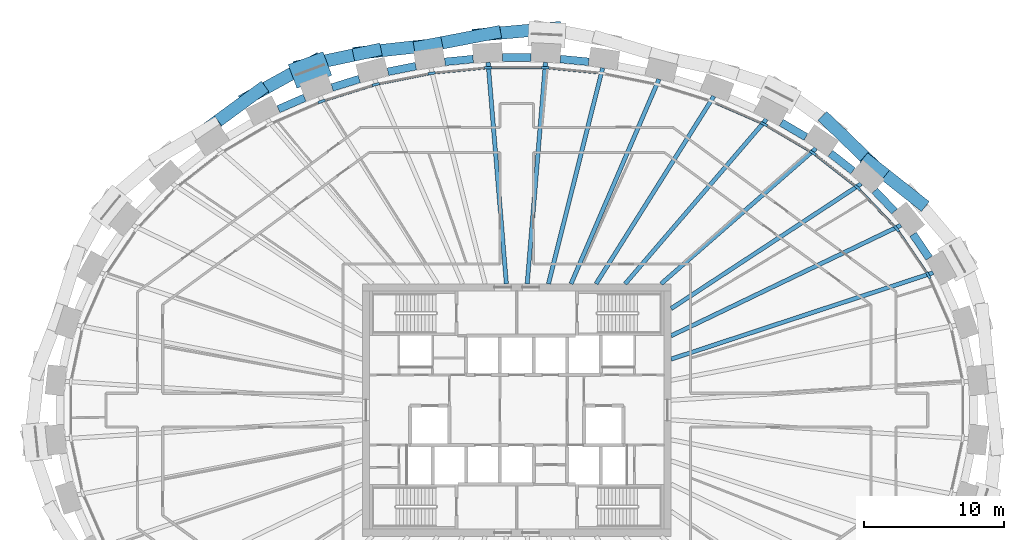
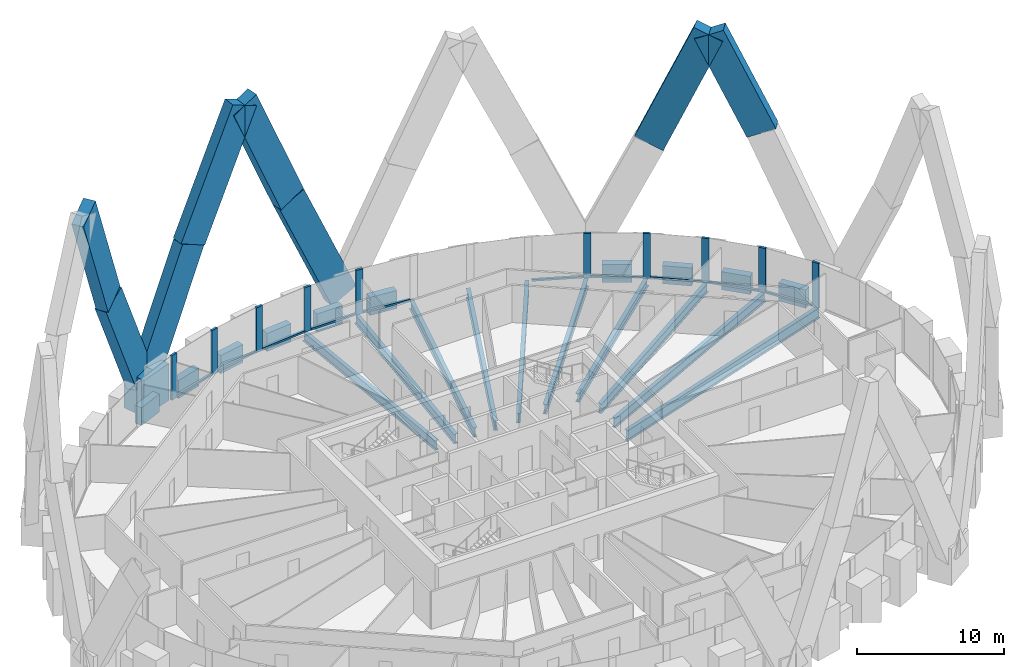
# One storey, part 4 of 14: 29 members, 20 beams, 1 element without a shape of its own.
"""IFC4 building model written with IfcOpenShell, lengths in metres."""

import ifcopenshell
import ifcopenshell.guid

model = None  # the IFC model being written
_history = None  # IfcOwnerHistory: only IFC2X3 demands one
_inside = {}  # id of a spatial element -> (the spatial element, [elements in it])
_under = {}  # id of a project, library or spatial element -> (it, [spatial elements below it])
_declared = {}  # id of a project -> (the project, [libraries it declares])
_typed = {}  # id of a type object -> (the type object, [elements of that type])
_made_of = {}  # id of a material, layer set ... -> (it, [elements and type objects made of it])


def new_model(schema):
    """Start an empty IFC model of exactly this schema.

    Asked for "IFC4X3", IfcOpenShell would pick the latest addendum, in which some entities
    have other attributes; the version numbers below select the first issue.
    IFC2X3 requires an IfcOwnerHistory on every rooted entity: one is made here for all.
    """
    global model, _history
    if schema == "IFC4X3":
        model = ifcopenshell.file(schema_version=(4, 3, 0, 0))
    else:
        model = ifcopenshell.file(schema=schema)
    _inside.clear()
    _under.clear()
    _declared.clear()
    _typed.clear()
    _made_of.clear()
    _history = None
    if model.schema == "IFC2X3":
        org = make("IfcOrganization", Name="unknown")
        user = make(
            "IfcPersonAndOrganization",
            ThePerson=make("IfcPerson", FamilyName="unknown"),
            TheOrganization=org,
        )
        app = make(
            "IfcApplication",
            ApplicationDeveloper=org,
            Version="unknown",
            ApplicationFullName="unknown",
            ApplicationIdentifier="unknown",
        )
        _history = make(
            "IfcOwnerHistory",
            OwningUser=user,
            OwningApplication=app,
            ChangeAction="ADDED",
            CreationDate=0,
        )
    return model


def make(cls, **values):
    """One entity of the class cls with the attributes given. An attribute that is None is left unset."""
    return model.create_entity(
        cls, **{name: value for name, value in values.items() if value is not None}
    )


def rooted(cls, **values):
    """An entity with a GlobalId (a new one), such as an element, a storey or a relation."""
    return make(cls, GlobalId=ifcopenshell.guid.new(), OwnerHistory=_history, **values)


def si_unit(unit_type, name, prefix=None):
    """IfcSIUnit, for example si_unit("LENGTHUNIT", "METRE", prefix="MILLI")."""
    return make("IfcSIUnit", UnitType=unit_type, Prefix=prefix, Name=name)


def assignment(units):
    """IfcUnitAssignment: the units of a project."""
    return None if units is None else make("IfcUnitAssignment", Units=units)


def point(xyz):
    """IfcCartesianPoint."""
    return None if xyz is None else make("IfcCartesianPoint", Coordinates=xyz)


def direction(xyz):
    """IfcDirection."""
    return None if xyz is None else make("IfcDirection", DirectionRatios=xyz)


def frame(location, z_axis=None, x_axis=None):
    """IfcAxis2Placement3D, a coordinate frame: its origin and axes. An axis left out is left unset."""
    return make(
        "IfcAxis2Placement3D",
        Location=point(location),
        Axis=direction(z_axis),
        RefDirection=direction(x_axis),
    )


def frame_2d(location, x_axis=None):
    """IfcAxis2Placement2D, a coordinate frame in the plane: its origin and x axis."""
    return make(
        "IfcAxis2Placement2D", Location=point(location), RefDirection=direction(x_axis)
    )


def origin():
    """The frame at (0, 0, 0) with its axes left unset."""
    return frame((0.0, 0.0, 0.0))


def origin_2d():
    """The frame at (0, 0) in the plane with its x axis left unset."""
    return frame_2d((0.0, 0.0))


def place(relative_to, where):
    """IfcLocalPlacement: puts the frame where relative to a parent placement (None: the world)."""
    return make(
        "IfcLocalPlacement", PlacementRelTo=relative_to, RelativePlacement=where
    )


def context(
    kind, dimensions, precision=None, world=None, true_north=None, identifier=None
):
    """IfcGeometricRepresentationContext, for example the 3D "Model" context."""
    return make(
        "IfcGeometricRepresentationContext",
        ContextIdentifier=identifier,
        ContextType=kind,
        CoordinateSpaceDimension=dimensions,
        Precision=precision,
        WorldCoordinateSystem=world,
        TrueNorth=true_north,
    )


def subcontext(parent, identifier, kind, view, scale=None):
    """IfcGeometricRepresentationSubContext, for example "Body" below "Model"."""
    return make(
        "IfcGeometricRepresentationSubContext",
        ContextIdentifier=identifier,
        ContextType=kind,
        ParentContext=parent,
        TargetScale=scale,
        TargetView=view,
    )


def project(units=None, contexts=None):
    """IfcProject with its units and contexts."""
    return rooted(
        "IfcProject",
        Name="project",
        RepresentationContexts=contexts,
        UnitsInContext=assignment(units),
    )


def spatial(cls, under=None, at=None, **own):
    """A site, building, storey or space (cls), placed at a placement, below another one or the project."""
    s = rooted(cls, ObjectPlacement=at, **own)
    if under is not None:
        _under.setdefault(under.id(), (under, []))[1].append(s)
    return s


def profile(cls, at=None, kind="AREA", **sizes):
    """A parametric profile (cls). Its sizes go by their IFC names, for example OverallWidth=200.0."""
    return make(cls, ProfileType=kind, Position=at, **sizes)


def rectangle(**sizes):
    """IfcRectangleProfileDef."""
    return profile("IfcRectangleProfileDef", **sizes)


def i_section(**sizes):
    """IfcIShapeProfileDef."""
    return profile("IfcIShapeProfileDef", **sizes)


def extrude(swept, where, along, depth):
    """IfcExtrudedAreaSolid: the profile swept, set in the frame where, extruded along a direction by depth."""
    return make(
        "IfcExtrudedAreaSolid",
        SweptArea=swept,
        Position=where,
        ExtrudedDirection=direction(along),
        Depth=depth,
    )


def shape(context_of_items, identifier, shape_type, items):
    """IfcShapeRepresentation: the items that make up one representation, for example the "Body"."""
    return make(
        "IfcShapeRepresentation",
        ContextOfItems=context_of_items,
        RepresentationIdentifier=identifier,
        RepresentationType=shape_type,
        Items=items,
    )


def source(mapping_origin, context_of_items, identifier, shape_type, items):
    """IfcRepresentationMap: a shape defined once, which mapped items show again and again."""
    return make(
        "IfcRepresentationMap",
        MappingOrigin=mapping_origin,
        MappedRepresentation=shape(context_of_items, identifier, shape_type, items),
    )


def transform(
    local_origin,
    x_axis=None,
    y_axis=None,
    z_axis=None,
    scale=None,
    scale2=None,
    scale3=None,
    uniform=True,
):
    """IfcCartesianTransformationOperator3D, or its non-uniform kind. x_axis, y_axis, z_axis: its Axis1, 2, 3."""
    if uniform:
        return make(
            "IfcCartesianTransformationOperator3D",
            Axis1=direction(x_axis),
            Axis2=direction(y_axis),
            LocalOrigin=point(local_origin),
            Scale=scale,
            Axis3=direction(z_axis),
        )
    return make(
        "IfcCartesianTransformationOperator3DnonUniform",
        Axis1=direction(x_axis),
        Axis2=direction(y_axis),
        LocalOrigin=point(local_origin),
        Scale=scale,
        Axis3=direction(z_axis),
        Scale2=scale2,
        Scale3=scale3,
    )


def mapped(mapping_source, mapping_target):
    """IfcMappedItem: shows the shape of a source again, moved by a transform."""
    return make(
        "IfcMappedItem", MappingSource=mapping_source, MappingTarget=mapping_target
    )


def material(Name=None, Category=None):
    """IfcMaterial."""
    return make("IfcMaterial", Name=Name, Category=Category)


def material_profile(
    of_material, cross_section, Name=None, Category=None, Priority=None
):
    """IfcMaterialProfile: a cross section and its material."""
    return make(
        "IfcMaterialProfile",
        Name=Name,
        Material=of_material,
        Profile=cross_section,
        Priority=Priority,
        Category=Category,
    )


def profile_set(profiles, Name=None, composite=None):
    """IfcMaterialProfileSet."""
    return make(
        "IfcMaterialProfileSet",
        Name=Name,
        MaterialProfiles=profiles,
        CompositeProfile=composite,
    )


def made_of(thing, what):
    """Note that an element or type object is made of a material, layer set ...; save() writes the relation."""
    if what is not None:
        _made_of.setdefault(what.id(), (what, []))[1].append(thing)
    return thing


def type_object(cls, material=None, **own):
    """A type object (cls), such as IfcWallType, which elements share."""
    return made_of(rooted(cls, **own), material)


def element(
    cls,
    number,
    at=None,
    inside=None,
    cuts=None,
    type_object=None,
    material=None,
    context=None,
    identifier="Body",
    shape_type=None,
    held_by="IfcProductDefinitionShape",
    body=None,
    shapes=None,
    **own,
):
    """One element of the class cls, such as IfcWall. Its Tag is "e" and its number.

    at: its placement. inside: the storey or other place that contains it. cuts: it is an
    opening in that element (IfcRelVoidsElement). A single representation is given by context,
    identifier, shape_type and body (its items); several are given by shapes. held_by: the class
    of the entity that holds the representations. save() writes the other relations.
    """
    e = rooted(cls, Tag="e%d" % number, ObjectPlacement=at, **own)
    if body is not None:
        shapes = [shape(context, identifier, shape_type, body)]
    if shapes is not None:
        e.Representation = make(held_by, Representations=shapes)
    if inside is not None:
        _inside.setdefault(inside.id(), (inside, []))[1].append(e)
    if cuts is not None:
        rooted(
            "IfcRelVoidsElement", RelatingBuildingElement=cuts, RelatedOpeningElement=e
        )
    if type_object is not None:
        _typed.setdefault(type_object.id(), (type_object, []))[1].append(e)
    return made_of(e, material)


def aggregate(whole, parts):
    """IfcRelAggregates: a whole, such as a stair, and the parts it consists of."""
    return rooted("IfcRelAggregates", RelatingObject=whole, RelatedObjects=parts)


def save(model, path):
    """Write the relations noted so far, then the file.

    IfcRelAggregates (storeys below a building ...), IfcRelContainedInSpatialStructure (elements
    in a storey), IfcRelDefinesByType, IfcRelAssociatesMaterial and IfcRelDeclares: one each for
    every whole, place, type object, material and project.
    """
    for whole, parts in _under.values():
        aggregate(whole, parts)
    for where, things in _inside.values():
        rooted(
            "IfcRelContainedInSpatialStructure",
            RelatedElements=things,
            RelatingStructure=where,
        )
    for kind, things in _typed.values():
        rooted("IfcRelDefinesByType", RelatedObjects=things, RelatingType=kind)
    for what, things in _made_of.values():
        rooted("IfcRelAssociatesMaterial", RelatedObjects=things, RelatingMaterial=what)
    for by, libraries in _declared.values():
        rooted("IfcRelDeclares", RelatingContext=by, RelatedDefinitions=libraries)
    model.write(path)


model = new_model("IFC4")

# Units and contexts
model_context = context("Model", 3, precision=1e-05, world=origin(), true_north=direction((0.0, 1.0)))
body_context = subcontext(model_context, "Body", "Model", "MODEL_VIEW")
ifc_project = project(units=[si_unit("LENGTHUNIT", "METRE"), si_unit("AREAUNIT", "SQUARE_METRE"), si_unit("VOLUMEUNIT", "CUBIC_METRE"), si_unit("PLANEANGLEUNIT", "RADIAN"), si_unit("MASSUNIT", "GRAM", prefix="KILO")], contexts=[model_context])

# Site, building, storey
site_placement = place(None, origin())
site = spatial("IfcSite", under=ifc_project, at=site_placement, CompositionType="ELEMENT")
building_placement = place(site_placement, origin())
building = spatial("IfcBuilding", under=site, at=building_placement, Name="Embergate Tower", CompositionType="ELEMENT")
storey_placement = place(building_placement, frame((0.0, 0.0, 257.800048828125)))
storey = spatial("IfcBuildingStorey", under=building, at=storey_placement, Name="L59", CompositionType="ELEMENT", Elevation=257.800048828125)

# Beams
ifc_material_1 = material(Name="Concrete C60", Category="concrete")
ifc_material_profile_1 = material_profile(ifc_material_1, rectangle(XDim=0.550048828125, YDim=1.5, at=origin_2d()), Name="RC 550x1500")
ifc_profile_set_1 = profile_set([ifc_material_profile_1], Name="Concrete C60")
beam_type_1 = type_object("IfcBeamType", Name="Spandrel beam RC 550x1500 C60", PredefinedType="BEAM", material=ifc_profile_set_1)
shared_shape_1 = source(origin(), body_context, "Body", "SweptSolid", [
    extrude(rectangle(XDim=0.550048828125, YDim=1.5, at=origin_2d()), origin(), (0.0, 0.0, 1.0), 2.046630859375),
])
beam_1_placement = place(storey_placement, frame((29.405029296875, 10.8359375, 0.0), z_axis=(-0.562466632366, 0.826819984927, 0.0), x_axis=(-0.826819984927, -0.562466632366, 0.0)))
element("IfcBeam", 1, at=beam_1_placement, inside=storey, type_object=beam_type_1, Name="SPN-L59-02", PredefinedType="BEAM", context=body_context, shape_type="MappedRepresentation", body=[
    mapped(shared_shape_1, transform((0.0, 0.0, 0.0))),
])
shared_shape_2 = source(origin(), body_context, "Body", "SweptSolid", [
    extrude(rectangle(XDim=0.550048828125, YDim=1.5, at=origin_2d()), origin(), (0.0, 0.0, 1.0), 2.042724609375),
])
beam_2_placement = place(storey_placement, frame((26.93505859375, 14.160888671875, 0.0), z_axis=(-0.690299494905, 0.723523743448, 0.0), x_axis=(-0.723523743448, -0.690299494905, 0.0)))
element("IfcBeam", 2, at=beam_2_placement, inside=storey, type_object=beam_type_1, Name="SPN-L59-03", PredefinedType="BEAM", context=body_context, shape_type="MappedRepresentation", body=[
    mapped(shared_shape_2, transform((0.0, 0.0, 0.0))),
])
shared_shape_3 = source(origin(), body_context, "Body", "SweptSolid", [
    extrude(rectangle(XDim=0.550048828125, YDim=1.5, at=origin_2d()), origin(), (0.0, 0.0, 1.0), 2.038330078125),
])
beam_3_placement = place(storey_placement, frame((23.968994140625, 17.049072265625, 0.0), z_axis=(-0.78838379352, 0.615183707615, 0.0), x_axis=(-0.615183707615, -0.78838379352, 0.0)))
element("IfcBeam", 3, at=beam_3_placement, inside=storey, type_object=beam_type_1, Name="SPN-L59-04", PredefinedType="BEAM", context=body_context, shape_type="MappedRepresentation", body=[
    mapped(shared_shape_3, transform((0.0, 0.0, 0.0))),
])
shared_shape_4 = source(origin(), body_context, "Body", "SweptSolid", [
    extrude(rectangle(XDim=0.550048828125, YDim=1.5, at=origin_2d()), origin(), (0.0, 0.0, 1.0), 2.0322265625),
])
beam_4_placement = place(storey_placement, frame((20.614013671875, 19.467041015625, 0.0), z_axis=(-0.862048455152, 0.50682586849, 0.0), x_axis=(-0.50682586849, -0.862048455152, 0.0)))
element("IfcBeam", 4, at=beam_4_placement, inside=storey, type_object=beam_type_1, Name="SPN-L59-05", PredefinedType="BEAM", context=body_context, shape_type="MappedRepresentation", body=[
    mapped(shared_shape_4, transform((0.0, 0.0, 0.0))),
])
shared_shape_5 = source(origin(), body_context, "Body", "SweptSolid", [
    extrude(rectangle(XDim=0.550048828125, YDim=1.5, at=origin_2d()), origin(), (0.0, 0.0, 1.0), 2.03076171875),
])
beam_5_placement = place(storey_placement, frame((-15.131103515625, 22.264892578125, 0.0), z_axis=(-0.916361402872, -0.400352069216, 0.0), x_axis=(0.400352069216, -0.916361402872, 0.0)))
element("IfcBeam", 5, at=beam_5_placement, inside=storey, type_object=beam_type_1, Name="SPN-L59-14", PredefinedType="BEAM", context=body_context, shape_type="MappedRepresentation", body=[
    mapped(shared_shape_5, transform((0.0, 0.0, 0.0))),
])
shared_shape_6 = source(origin(), body_context, "Body", "SweptSolid", [
    extrude(rectangle(XDim=0.550048828125, YDim=1.5, at=origin_2d()), origin(), (0.0, 0.0, 1.0), 2.02880859375),
])
beam_6_placement = place(storey_placement, frame((-11.22705078125, 23.60205078125, 0.0), z_axis=(-0.954800624546, -0.297246980417, 0.0), x_axis=(0.297246980417, -0.954800624546, 0.0)))
element("IfcBeam", 6, at=beam_6_placement, inside=storey, type_object=beam_type_1, Name="SPN-L59-13", PredefinedType="BEAM", context=body_context, shape_type="MappedRepresentation", body=[
    mapped(shared_shape_6, transform((0.0, 0.0, 0.0))),
])
shared_shape_7 = source(origin(), body_context, "Body", "SweptSolid", [
    extrude(rectangle(XDim=0.550048828125, YDim=1.5, at=origin_2d()), origin(), (0.0, 0.0, 1.0), 2.02734375),
])
beam_7_placement = place(storey_placement, frame((-7.2041015625, 24.52001953125, 0.0), z_axis=(-0.980543602706, -0.196301409041, 0.0), x_axis=(0.196301409041, -0.980543602706, 0.0)))
element("IfcBeam", 7, at=beam_7_placement, inside=storey, type_object=beam_type_1, Name="SPN-L59-12", PredefinedType="BEAM", context=body_context, shape_type="MappedRepresentation", body=[
    mapped(shared_shape_7, transform((0.0, 0.0, 0.0))),
])
shared_shape_8 = source(origin(), body_context, "Body", "SweptSolid", [
    extrude(rectangle(XDim=0.550048828125, YDim=1.5, at=origin_2d()), origin(), (0.0, 0.0, 1.0), 2.025634765625),
])
for number, where, z_axis, x_axis, name in (
    (8, (5.126953125, 24.830078125, 0.0), (-0.995211067802, 0.097749324935, 0.0), (-0.097749324935, -0.995211067802, 0.0), "SPN-L59-09"),
    (9, (-3.111083984375, 25.028076171875, 0.0), (-0.995211067802, -0.097749324935, 0.0), (0.097749324935, -0.995211067802, 0.0), "SPN-L59-11"),
):
    element("IfcBeam", number, at=place(storey_placement, frame(where, z_axis=z_axis, x_axis=x_axis)), inside=storey, type_object=beam_type_1, Name=name, PredefinedType="BEAM", context=body_context, shape_type="MappedRepresentation", body=[
        mapped(shared_shape_8, transform((0.0, 0.0, 0.0))),
    ])
shared_shape_9 = source(origin(), body_context, "Body", "SweptSolid", [
    extrude(rectangle(XDim=0.550048828125, YDim=1.5, at=origin_2d()), origin(), (0.0, 0.0, 1.0), 2.02587890625),
])
beam_8_placement = place(storey_placement, frame((1.012939453125, 25.131103515625, 0.0), z_axis=(-1.0, 0.0, 0.0), x_axis=(0.0, -1.0, 0.0)))
element("IfcBeam", 10, at=beam_8_placement, inside=storey, type_object=beam_type_1, Name="SPN-L59-10", PredefinedType="BEAM", context=body_context, shape_type="MappedRepresentation", body=[
    mapped(shared_shape_9, transform((0.0, 0.0, 0.0))),
])
ifc_material_2 = material(Name="Steel Q355B", Category="steel")
ifc_material_profile_2 = material_profile(ifc_material_2, i_section(OverallWidth=0.300048828125, OverallDepth=0.89990234375, WebThickness=0.01611328125, FlangeThickness=0.028076171875, FilletRadius=0.028076171875, at=origin_2d()), Name="HN 900x300x16x28")
ifc_profile_set_2 = profile_set([ifc_material_profile_2], Name="Steel Q355 grade B")
beam_type_2 = type_object("IfcBeamType", Name="Radial girder HN 900x300x16x28", PredefinedType="BEAM", material=ifc_profile_set_2)
shared_shape_10 = source(origin(), body_context, "Body", "SweptSolid", [
    extrude(i_section(OverallWidth=0.300048828125, OverallDepth=0.89990234375, WebThickness=0.01611328125, FlangeThickness=0.028076171875, FilletRadius=0.028076171875, at=origin_2d()), origin(), (0.0, 0.0, 1.0), 19.67578125),
])
beam_9_placement = place(storey_placement, frame((29.68603515625, 9.7900390625, -0.650146484375), z_axis=(-0.949693396369, -0.313181182215, 0.0), x_axis=(0.313181182215, -0.949693396369, 0.0)))
element("IfcBeam", 11, at=beam_9_placement, inside=storey, type_object=beam_type_2, Name="GIR-L59-02", PredefinedType="BEAM", context=body_context, shape_type="MappedRepresentation", body=[
    mapped(shared_shape_10, transform((0.0, 0.0, 0.0))),
])
ifc_material_profile_3 = material_profile(ifc_material_2, i_section(OverallWidth=0.300048828125, OverallDepth=0.800048828125, WebThickness=0.013916015625, FlangeThickness=0.02587890625, FilletRadius=0.028076171875, at=origin_2d()), Name="HN 800x300x14x26")
ifc_profile_set_3 = profile_set([ifc_material_profile_3], Name="Steel Q355 grade B")
beam_type_3 = type_object("IfcBeamType", Name="Radial girder HN 800x300x14x26", PredefinedType="BEAM", material=ifc_profile_set_3)
shared_shape_11 = source(origin(), body_context, "Body", "SweptSolid", [
    extrude(i_section(OverallWidth=0.300048828125, OverallDepth=0.800048828125, WebThickness=0.013916015625, FlangeThickness=0.02587890625, FilletRadius=0.028076171875, at=origin_2d()), origin(), (0.0, 0.0, 1.0), 18.182373046875),
])
beam_10_placement = place(storey_placement, frame((27.385009765625, 13.174072265625, -0.60009765625), z_axis=(-0.901152068073, -0.433503114415, 0.0), x_axis=(0.433503114415, -0.901152068073, 0.0)))
element("IfcBeam", 12, at=beam_10_placement, inside=storey, type_object=beam_type_3, Name="GIR-L59-03", PredefinedType="BEAM", context=body_context, shape_type="MappedRepresentation", body=[
    mapped(shared_shape_11, transform((0.0, 0.0, 0.0))),
])
shared_shape_12 = source(origin(), body_context, "Body", "SweptSolid", [
    extrude(i_section(OverallWidth=0.300048828125, OverallDepth=0.800048828125, WebThickness=0.013916015625, FlangeThickness=0.02587890625, FilletRadius=0.028076171875, at=origin_2d()), origin(), (0.0, 0.0, 1.0), 16.224853515625),
])
beam_11_placement = place(storey_placement, frame((24.56005859375, 16.135986328125, -0.60009765625), z_axis=(-0.83576092079, -0.549093510506, 0.0), x_axis=(0.549093510506, -0.83576092079, 0.0)))
element("IfcBeam", 13, at=beam_11_placement, inside=storey, type_object=beam_type_3, Name="GIR-L59-04", PredefinedType="BEAM", context=body_context, shape_type="MappedRepresentation", body=[
    mapped(shared_shape_12, transform((0.0, 0.0, 0.0))),
])
ifc_material_profile_4 = material_profile(ifc_material_2, i_section(OverallWidth=0.300048828125, OverallDepth=0.699951171875, WebThickness=0.012939453125, FlangeThickness=0.02392578125, FilletRadius=0.01806640625, at=origin_2d()), Name="HN 700x300x13x24")
ifc_profile_set_4 = profile_set([ifc_material_profile_4], Name="Steel Q355 grade B")
beam_type_4 = type_object("IfcBeamType", Name="Radial girder HN 700x300x13x24", PredefinedType="BEAM", material=ifc_profile_set_4)
shared_shape_13 = source(origin(), body_context, "Body", "SweptSolid", [
    extrude(i_section(OverallWidth=0.300048828125, OverallDepth=0.699951171875, WebThickness=0.012939453125, FlangeThickness=0.02392578125, FilletRadius=0.01806640625, at=origin_2d()), origin(), (0.0, 0.0, 1.0), 14.66845703125),
])
beam_12_placement = place(storey_placement, frame((21.3330078125, 18.656005859375, -0.550048828125), z_axis=(-0.752770497305, -0.658283053395, 0.0), x_axis=(0.658283053395, -0.752770497305, 0.0)))
element("IfcBeam", 14, at=beam_12_placement, inside=storey, type_object=beam_type_4, Name="GIR-L59-05", PredefinedType="BEAM", context=body_context, shape_type="MappedRepresentation", body=[
    mapped(shared_shape_13, transform((0.0, 0.0, 0.0))),
])
shared_shape_14 = source(origin(), body_context, "Body", "SweptSolid", [
    extrude(i_section(OverallWidth=0.300048828125, OverallDepth=0.800048828125, WebThickness=0.013916015625, FlangeThickness=0.02587890625, FilletRadius=0.028076171875, at=origin_2d()), origin(), (0.0, 0.0, 1.0), 15.462890625),
])
beam_13_placement = place(storey_placement, frame((17.802978515625, 20.73095703125, -0.60009765625), z_axis=(-0.651494533004, -0.75865332891, 0.0), x_axis=(0.75865332891, -0.651494533004, 0.0)))
element("IfcBeam", 15, at=beam_13_placement, inside=storey, type_object=beam_type_3, Name="GIR-L59-06", PredefinedType="BEAM", context=body_context, shape_type="MappedRepresentation", body=[
    mapped(shared_shape_14, transform((0.0, 0.0, 0.0))),
])
shared_shape_15 = source(origin(), body_context, "Body", "SweptSolid", [
    extrude(i_section(OverallWidth=0.300048828125, OverallDepth=0.800048828125, WebThickness=0.013916015625, FlangeThickness=0.02587890625, FilletRadius=0.028076171875, at=origin_2d()), origin(), (0.0, 0.0, 1.0), 15.791015625),
])
beam_14_placement = place(storey_placement, frame((14.051025390625, 22.3720703125, -0.60009765625), z_axis=(-0.531882110567, -0.846818410557, 0.0), x_axis=(0.846818410557, -0.531882110567, 0.0)))
element("IfcBeam", 16, at=beam_14_placement, inside=storey, type_object=beam_type_3, Name="GIR-L59-07", PredefinedType="BEAM", context=body_context, shape_type="MappedRepresentation", body=[
    mapped(shared_shape_15, transform((0.0, 0.0, 0.0))),
])
shared_shape_16 = source(origin(), body_context, "Body", "SweptSolid", [
    extrude(i_section(OverallWidth=0.300048828125, OverallDepth=0.800048828125, WebThickness=0.013916015625, FlangeThickness=0.02587890625, FilletRadius=0.028076171875, at=origin_2d()), origin(), (0.0, 0.0, 1.0), 15.881103515625),
])
beam_15_placement = place(storey_placement, frame((10.14111328125, 23.590087890625, -0.60009765625), z_axis=(-0.394946920714, -0.918703940243, 0.0), x_axis=(0.918703940243, -0.394946920714, 0.0)))
element("IfcBeam", 17, at=beam_15_placement, inside=storey, type_object=beam_type_3, Name="GIR-L59-08", PredefinedType="BEAM", context=body_context, shape_type="MappedRepresentation", body=[
    mapped(shared_shape_16, transform((0.0, 0.0, 0.0))),
])
shared_shape_17 = source(origin(), body_context, "Body", "SweptSolid", [
    extrude(i_section(OverallWidth=0.300048828125, OverallDepth=0.800048828125, WebThickness=0.013916015625, FlangeThickness=0.02587890625, FilletRadius=0.028076171875, at=origin_2d()), origin(), (0.0, 0.0, 1.0), 15.872802734375),
])
beam_16_placement = place(storey_placement, frame((6.1240234375, 24.39501953125, -0.60009765625), z_axis=(-0.243498181484, -0.969901353548, 0.0), x_axis=(0.969901353548, -0.243498181484, 0.0)))
element("IfcBeam", 18, at=beam_16_placement, inside=storey, type_object=beam_type_3, Name="GIR-L59-09", PredefinedType="BEAM", context=body_context, shape_type="MappedRepresentation", body=[
    mapped(shared_shape_17, transform((0.0, 0.0, 0.0))),
])
shared_shape_18 = source(origin(), body_context, "Body", "SweptSolid", [
    extrude(i_section(OverallWidth=0.300048828125, OverallDepth=0.800048828125, WebThickness=0.013916015625, FlangeThickness=0.02587890625, FilletRadius=0.028076171875, at=origin_2d()), origin(), (0.0, 0.0, 1.0), 15.849609375),
])
for number, where, z_axis, x_axis, name in (
    (19, (2.048095703125, 24.7958984375, -0.60009765625), (-0.082346886075, -0.996603727845, 0.0), (0.996603727845, -0.082346886075, 0.0), "GIR-L59-10"),
    (20, (-2.048095703125, 24.7958984375, -0.60009765625), (0.082346886075, -0.996603727845, 0.0), (0.996603727845, 0.082346886075, 0.0), "GIR-L59-11"),
):
    element("IfcBeam", number, at=place(storey_placement, frame(where, z_axis=z_axis, x_axis=x_axis)), inside=storey, type_object=beam_type_3, Name=name, PredefinedType="BEAM", context=body_context, shape_type="MappedRepresentation", body=[
        mapped(shared_shape_18, transform((0.0, 0.0, 0.0))),
    ])

# Members
ifc_material_3 = material(Name="Concrete C70", Category="concrete")
ifc_material_profile_5 = material_profile(ifc_material_3, rectangle(XDim=1.800048828125, YDim=2.64990234375, at=origin_2d()), Name="RC 1800x2650")
ifc_profile_set_5 = profile_set([ifc_material_profile_5], Name="Concrete C70")
member_type_1 = type_object("IfcMemberType", Name="Lattice node block RC 1800x2650", PredefinedType="POST", material=ifc_profile_set_5)
shared_shape_19 = source(origin(), body_context, "Body", "SweptSolid", [
    extrude(rectangle(XDim=1.800048828125, YDim=2.64990234375, at=origin_2d()), origin(), (0.0, 0.0, 1.0), 3.050048828125),
])
member_1_placement = place(storey_placement, frame((-14.7470703125, 24.2470703125, -1.525146484375), z_axis=(0.0, 0.0, 1.0), x_axis=(-0.348343015724, 0.93736713373, 0.0)))
element("IfcMember", 21, at=member_1_placement, inside=storey, type_object=member_type_1, Name="NOD-L59-14", PredefinedType="POST", context=body_context, shape_type="MappedRepresentation", body=[
    mapped(shared_shape_19, transform((0.0, 0.0, 0.0))),
])
ifc_material_profile_6 = material_profile(ifc_material_3, rectangle(XDim=0.89990234375, YDim=2.199951171875, at=origin_2d()), Name="RC 900x2200")
ifc_profile_set_6 = profile_set([ifc_material_profile_6], Name="Concrete C70")
member_type_2 = type_object("IfcMemberType", Name="Lattice diagonal terracotta-faced RC 900x2200", PredefinedType="BRACE", material=ifc_profile_set_6)
shared_shape_20 = source(origin(), body_context, "Body", "SweptSolid", [
    extrude(rectangle(XDim=0.89990234375, YDim=2.199951171875, at=origin_2d()), origin(), (0.0, 0.0, 1.0), 8.5947265625),
])
member_2_placement = place(storey_placement, frame((28.346923828125, 15.133056640625, 11.699951171875), z_axis=(-0.329370200076, 0.260513506244, 0.907550540943), x_axis=(-0.620354633201, -0.784321444986, 0.0)))
element("IfcMember", 22, at=member_2_placement, inside=storey, type_object=member_type_2, Name="BRC-L59-02-04-S01", PredefinedType="BRACE", context=body_context, shape_type="MappedRepresentation", body=[
    mapped(shared_shape_20, transform((0.0, 0.0, 0.0))),
])
shared_shape_21 = source(origin(), body_context, "Body", "SweptSolid", [
    extrude(rectangle(XDim=0.89990234375, YDim=2.199951171875, at=origin_2d()), origin(), (0.0, 0.0, 1.0), 10.604736328125),
])
member_3_placement = place(storey_placement, frame((22.51611328125, 20.27001953125, 9.75), z_axis=(0.282892242222, -0.273269117446, 0.919399787221), x_axis=(0.694767890588, 0.719234021865, 0.0)))
element("IfcMember", 23, at=member_3_placement, inside=storey, type_object=member_type_2, Name="BRC-L59-06-04-S01", PredefinedType="BRACE", context=body_context, shape_type="MappedRepresentation", body=[
    mapped(shared_shape_21, transform((0.0, 0.0, 0.0))),
])
shared_shape_22 = source(origin(), body_context, "Body", "SweptSolid", [
    extrude(rectangle(XDim=0.89990234375, YDim=2.199951171875, at=origin_2d()), origin(), (0.0, 0.0, 1.0), 10.67041015625),
])
member_4_placement = place(storey_placement, frame((2.1650390625, 27.180908203125, 0.0), z_axis=(-0.404678679009, -0.036356330692, 0.913735948715), x_axis=(0.089479616143, -0.995988653698, 0.0)))
element("IfcMember", 24, at=member_4_placement, inside=storey, type_object=member_type_2, Name="BRC-L59-10-12-S00", PredefinedType="BRACE", context=body_context, shape_type="MappedRepresentation", body=[
    mapped(shared_shape_22, transform((0.0, 0.0, 0.0))),
])
shared_shape_23 = source(origin(), body_context, "Body", "SweptSolid", [
    extrude(rectangle(XDim=0.89990234375, YDim=2.199951171875, at=origin_2d()), origin(), (0.0, 0.0, 1.0), 10.63427734375),
])
member_5_placement = place(storey_placement, frame((-2.153076171875, 26.79296875, 9.75), z_axis=(-0.392118405337, -0.075140722521, 0.916840786623), x_axis=(0.188203267671, -0.982130098326, 0.0)))
element("IfcMember", 25, at=member_5_placement, inside=storey, type_object=member_type_2, Name="BRC-L59-10-12-S01", PredefinedType="BRACE", context=body_context, shape_type="MappedRepresentation", body=[
    mapped(shared_shape_23, transform((0.0, 0.0, 0.0))),
])
shared_shape_24 = source(origin(), body_context, "Body", "SweptSolid", [
    extrude(rectangle(XDim=0.89990234375, YDim=2.199951171875, at=origin_2d()), origin(), (0.0, 0.0, 1.0), 10.66162109375),
])
member_6_placement = place(storey_placement, frame((-14.886962890625, 24.6240234375, 0.0), z_axis=(0.395806784475, 0.083947218507, 0.914488848411), x_axis=(-0.207476308756, 0.978240042783, 0.0)))
element("IfcMember", 26, at=member_6_placement, inside=storey, type_object=member_type_2, Name="BRC-L59-14-12-S00", PredefinedType="BRACE", context=body_context, shape_type="MappedRepresentation", body=[
    mapped(shared_shape_24, transform((0.0, 0.0, 0.0))),
])
shared_shape_25 = source(origin(), body_context, "Body", "SweptSolid", [
    extrude(rectangle(XDim=0.89990234375, YDim=2.199951171875, at=origin_2d()), origin(), (0.0, 0.0, 1.0), 10.6845703125),
])
member_7_placement = place(storey_placement, frame((-10.6669921875, 25.51904296875, 9.75), z_axis=(0.406570196479, 0.044443266012, 0.912537928769), x_axis=(-0.10866534402, 0.994078388765, 0.0)))
element("IfcMember", 27, at=member_7_placement, inside=storey, type_object=member_type_2, Name="BRC-L59-14-12-S01", PredefinedType="BRACE", context=body_context, shape_type="MappedRepresentation", body=[
    mapped(shared_shape_25, transform((0.0, 0.0, 0.0))),
])
shared_shape_26 = source(origin(), body_context, "Body", "SweptSolid", [
    extrude(rectangle(XDim=0.89990234375, YDim=2.199951171875, at=origin_2d()), origin(), (0.0, 0.0, 1.0), 10.70849609375),
])
member_8_placement = place(storey_placement, frame((-14.886962890625, 24.6240234375, 0.0), z_axis=(-0.362136207681, -0.199649129354, 0.910493048977), x_axis=(0.482798939992, -0.875731227913, 0.0)))
element("IfcMember", 28, at=member_8_placement, inside=storey, type_object=member_type_2, Name="BRC-L59-14-16-S00", PredefinedType="BRACE", context=body_context, shape_type="MappedRepresentation", body=[
    mapped(shared_shape_26, transform((0.0, 0.0, 0.0))),
])
shared_shape_27 = source(origin(), body_context, "Body", "SweptSolid", [
    extrude(rectangle(XDim=0.89990234375, YDim=2.199951171875, at=origin_2d()), origin(), (0.0, 0.0, 1.0), 10.601806640625),
])
member_9_placement = place(storey_placement, frame((-18.764892578125, 22.486083984375, 9.75), z_axis=(-0.316568618072, -0.232423587852, 0.91965405771), x_axis=(0.59181605287, -0.806073048529, 0.0)))
element("IfcMember", 29, at=member_9_placement, inside=storey, type_object=member_type_2, Name="BRC-L59-14-16-S01", PredefinedType="BRACE", context=body_context, shape_type="MappedRepresentation", body=[
    mapped(shared_shape_27, transform((0.0, 0.0, 0.0))),
])

# Curtain wall, members
ifc_material_4 = material(Name="Aluminium and glass", Category="aluminium")
curtain_wall_type = type_object("IfcCurtainWallType", Name="Recessed office glazing", PredefinedType="NOTDEFINED", material=ifc_material_4)
curtain_wall_placement = place(storey_placement, origin())
curtain_wall = element("IfcCurtainWall", 30, at=curtain_wall_placement, inside=storey, type_object=curtain_wall_type, Name="Recessed office glazing ring", ObjectType="RECESSED OFFICE GLAZING", PredefinedType="USERDEFINED")
ifc_material_5 = material(Name="Aluminium, thermally broken", Category="aluminium")
ifc_material_profile_7 = material_profile(ifc_material_5, rectangle(XDim=0.179931640625, YDim=0.52001953125, at=origin_2d()), Name="AL 520x180")
ifc_profile_set_7 = profile_set([ifc_material_profile_7], Name="Aluminium, thermally broken")
member_type_3 = type_object("IfcMemberType", Name="Office mullion", PredefinedType="MULLION", material=ifc_profile_set_7)
shared_shape_28 = source(origin(), body_context, "Body", "SweptSolid", [
    extrude(rectangle(XDim=0.179931640625, YDim=0.52001953125, at=origin_2d()), origin(), (0.0, 0.0, 1.0), 3.699951171875),
])
member_10_placement = place(storey_placement, frame((29.34619140625, 9.600341796875, 0.0), z_axis=(0.0, 0.0, 1.0), x_axis=(-0.874994291193, -0.484133236186, 0.0)))
member_10 = element("IfcMember", 31, at=member_10_placement, type_object=member_type_3, Name="CW mullion 3", PredefinedType="MULLION", context=body_context, shape_type="MappedRepresentation", body=[
    mapped(shared_shape_28, transform((0.0, 0.0, 0.0))),
])
member_11_placement = place(storey_placement, frame((27.0830078125, 12.92822265625, 0.0), z_axis=(0.0, 0.0, 1.0), x_axis=(-0.777863789852, -0.628432911643, 0.0)))
member_11 = element("IfcMember", 32, at=member_11_placement, type_object=member_type_3, Name="CW mullion 4", PredefinedType="MULLION", context=body_context, shape_type="MappedRepresentation", body=[
    mapped(shared_shape_28, transform((0.0, 0.0, 0.0))),
])
member_12_placement = place(storey_placement, frame((24.299560546875, 15.846923828125, 0.0), z_axis=(0.0, 0.0, 1.0), x_axis=(-0.671217477801, -0.741260478843, 0.0)))
member_12 = element("IfcMember", 33, at=member_12_placement, type_object=member_type_3, Name="CW mullion 5", PredefinedType="MULLION", context=body_context, shape_type="MappedRepresentation", body=[
    mapped(shared_shape_28, transform((0.0, 0.0, 0.0))),
])
member_13_placement = place(storey_placement, frame((21.1142578125, 18.3330078125, 0.0), z_axis=(0.0, 0.0, 1.0), x_axis=(-0.562208958301, -0.826995215951, 0.0)))
member_13 = element("IfcMember", 34, at=member_13_placement, type_object=member_type_3, Name="CW mullion 6", PredefinedType="MULLION", context=body_context, shape_type="MappedRepresentation", body=[
    mapped(shared_shape_28, transform((0.0, 0.0, 0.0))),
])
member_14_placement = place(storey_placement, frame((17.626220703125, 20.383544921875, 0.0), z_axis=(0.0, 0.0, 1.0), x_axis=(-0.45450516197, -0.8907441034, 0.0)))
member_14 = element("IfcMember", 35, at=member_14_placement, type_object=member_type_3, Name="CW mullion 7", PredefinedType="MULLION", context=body_context, shape_type="MappedRepresentation", body=[
    mapped(shared_shape_28, transform((0.0, 0.0, 0.0))),
])
member_15_placement = place(storey_placement, frame((2.02880859375, 24.406494140625, 0.0), z_axis=(0.0, 0.0, 1.0), x_axis=(-0.048970053385, -0.998800247232, 0.0)))
member_15 = element("IfcMember", 36, at=member_15_placement, type_object=member_type_3, Name="CW mullion 11", PredefinedType="MULLION", context=body_context, shape_type="MappedRepresentation", body=[
    mapped(shared_shape_28, transform((0.0, 0.0, 0.0))),
])
member_16_placement = place(storey_placement, frame((-2.02880859375, 24.406494140625, 0.0), z_axis=(0.0, 0.0, 1.0), x_axis=(0.048970053385, -0.998800247232, 0.0)))
member_16 = element("IfcMember", 37, at=member_16_placement, type_object=member_type_3, Name="CW mullion 12", PredefinedType="MULLION", context=body_context, shape_type="MappedRepresentation", body=[
    mapped(shared_shape_28, transform((0.0, 0.0, 0.0))),
])
member_17_placement = place(storey_placement, frame((-6.06689453125, 24.009521484375, 0.0), z_axis=(0.0, 0.0, 1.0), x_axis=(0.147410656556, -0.989075375456, 0.0)))
member_17 = element("IfcMember", 38, at=member_17_placement, type_object=member_type_3, Name="CW mullion 13", PredefinedType="MULLION", context=body_context, shape_type="MappedRepresentation", body=[
    mapped(shared_shape_28, transform((0.0, 0.0, 0.0))),
])
member_18_placement = place(storey_placement, frame((-10.0439453125, 23.2119140625, 0.0), z_axis=(0.0, 0.0, 1.0), x_axis=(0.247308499144, -0.96893679167, 0.0)))
member_18 = element("IfcMember", 39, at=member_18_placement, type_object=member_type_3, Name="CW mullion 14", PredefinedType="MULLION", context=body_context, shape_type="MappedRepresentation", body=[
    mapped(shared_shape_28, transform((0.0, 0.0, 0.0))),
])
member_19_placement = place(storey_placement, frame((-13.914794921875, 22.006591796875, 0.0), z_axis=(0.0, 0.0, 1.0), x_axis=(0.349497777064, -0.936937193107, 0.0)))
member_19 = element("IfcMember", 40, at=member_19_placement, type_object=member_type_3, Name="CW mullion 15", PredefinedType="MULLION", context=body_context, shape_type="MappedRepresentation", body=[
    mapped(shared_shape_28, transform((0.0, 0.0, 0.0))),
])
ifc_material_profile_8 = material_profile(ifc_material_5, rectangle(XDim=0.179931640625, YDim=0.14990234375, at=origin_2d()), Name="AL 150x180")
ifc_profile_set_8 = profile_set([ifc_material_profile_8], Name="Aluminium, thermally broken")
member_type_4 = type_object("IfcMemberType", Name="Office sill transom", PredefinedType="USERDEFINED", material=ifc_profile_set_8)
shared_shape_29 = source(origin(), body_context, "Body", "SweptSolid", [
    extrude(rectangle(XDim=0.179931640625, YDim=0.14990234375, at=origin_2d()), origin(), (0.0, 0.0, 1.0), 3.504638671875),
])
member_20_placement = place(storey_placement, frame((29.199951171875, 9.8154296875, 0.074951171875), z_axis=(-0.562376708583, 0.826881150858, 0.0), x_axis=(-0.826881150858, -0.562376708583, 0.0)))
member_20 = element("IfcMember", 41, at=member_20_placement, type_object=member_type_4, Name="CW transom 3.1", ObjectType="TRANSOM", PredefinedType="USERDEFINED", context=body_context, shape_type="MappedRepresentation", body=[
    mapped(shared_shape_29, transform((0.0, 0.0, 0.0))),
])
shared_shape_30 = source(origin(), body_context, "Body", "SweptSolid", [
    extrude(rectangle(XDim=0.179931640625, YDim=0.14990234375, at=origin_2d()), origin(), (0.0, 0.0, 1.0), 3.512939453125),
])
member_21_placement = place(storey_placement, frame((26.903564453125, 13.116455078125, 0.074951171875), z_axis=(-0.690159983448, 0.723656822842, 0.0), x_axis=(-0.723656822842, -0.690159983448, 0.0)))
member_21 = element("IfcMember", 42, at=member_21_placement, type_object=member_type_4, Name="CW transom 4.1", ObjectType="TRANSOM", PredefinedType="USERDEFINED", context=body_context, shape_type="MappedRepresentation", body=[
    mapped(shared_shape_30, transform((0.0, 0.0, 0.0))),
])
shared_shape_31 = source(origin(), body_context, "Body", "SweptSolid", [
    extrude(rectangle(XDim=0.179931640625, YDim=0.14990234375, at=origin_2d()), origin(), (0.0, 0.0, 1.0), 3.520263671875),
])
member_22_placement = place(storey_placement, frame((24.094482421875, 16.0068359375, 0.074951171875), z_axis=(-0.788309220122, 0.615279264619, 0.0), x_axis=(-0.615279264619, -0.788309220122, 0.0)))
member_22 = element("IfcMember", 43, at=member_22_placement, type_object=member_type_4, Name="CW transom 5.1", ObjectType="TRANSOM", PredefinedType="USERDEFINED", context=body_context, shape_type="MappedRepresentation", body=[
    mapped(shared_shape_31, transform((0.0, 0.0, 0.0))),
])
shared_shape_32 = source(origin(), body_context, "Body", "SweptSolid", [
    extrude(rectangle(XDim=0.179931640625, YDim=0.14990234375, at=origin_2d()), origin(), (0.0, 0.0, 1.0), 3.526123046875),
])
member_23_placement = place(storey_placement, frame((20.89013671875, 18.464599609375, 0.074951171875), z_axis=(-0.862058778532, 0.506808309281, 0.0), x_axis=(-0.506808309281, -0.862058778532, 0.0)))
member_23 = element("IfcMember", 44, at=member_23_placement, type_object=member_type_4, Name="CW transom 6.1", ObjectType="TRANSOM", PredefinedType="USERDEFINED", context=body_context, shape_type="MappedRepresentation", body=[
    mapped(shared_shape_32, transform((0.0, 0.0, 0.0))),
])
shared_shape_33 = source(origin(), body_context, "Body", "SweptSolid", [
    extrude(rectangle(XDim=0.179931640625, YDim=0.14990234375, at=origin_2d()), origin(), (0.0, 0.0, 1.0), 3.53076171875),
])
member_24_placement = place(storey_placement, frame((17.387939453125, 20.48779296875, 0.074951171875), z_axis=(-0.916241422351, 0.400626579209, 0.0), x_axis=(-0.400626579209, -0.916241422351, 0.0)))
member_24 = element("IfcMember", 45, at=member_24_placement, type_object=member_type_4, Name="CW transom 7.1", ObjectType="TRANSOM", PredefinedType="USERDEFINED", context=body_context, shape_type="MappedRepresentation", body=[
    mapped(shared_shape_33, transform((0.0, 0.0, 0.0))),
])
shared_shape_34 = source(origin(), body_context, "Body", "SweptSolid", [
    extrude(rectangle(XDim=0.179931640625, YDim=0.14990234375, at=origin_2d()), origin(), (0.0, 0.0, 1.0), 3.5341796875),
])
member_25_placement = place(storey_placement, frame((-10.292236328125, 23.134521484375, 0.074951171875), z_axis=(-0.954775746564, -0.297326880342, 0.0), x_axis=(0.297326880342, -0.954775746564, 0.0)))
member_25 = element("IfcMember", 46, at=member_25_placement, type_object=member_type_4, Name="CW transom 14.1", ObjectType="TRANSOM", PredefinedType="USERDEFINED", context=body_context, shape_type="MappedRepresentation", body=[
    mapped(shared_shape_34, transform((0.0, 0.0, 0.0))),
])
shared_shape_35 = source(origin(), body_context, "Body", "SweptSolid", [
    extrude(rectangle(XDim=0.179931640625, YDim=0.14990234375, at=origin_2d()), origin(), (0.0, 0.0, 1.0), 3.5361328125),
])
member_26_placement = place(storey_placement, frame((-6.322021484375, 23.95849609375, 0.074951171875), z_axis=(-0.980463661571, -0.196700300811, 0.0), x_axis=(0.196700300811, -0.980463661571, 0.0)))
member_26 = element("IfcMember", 47, at=member_26_placement, type_object=member_type_4, Name="CW transom 13.1", ObjectType="TRANSOM", PredefinedType="USERDEFINED", context=body_context, shape_type="MappedRepresentation", body=[
    mapped(shared_shape_35, transform((0.0, 0.0, 0.0))),
])
shared_shape_36 = source(origin(), body_context, "Body", "SweptSolid", [
    extrude(rectangle(XDim=0.179931640625, YDim=0.14990234375, at=origin_2d()), origin(), (0.0, 0.0, 1.0), 3.53759765625),
])
member_27_placement = place(storey_placement, frame((5.80810546875, 24.034912109375, 0.074951171875), z_axis=(-0.99519983538, 0.097863617654, 0.0), x_axis=(-0.097863617654, -0.99519983538, 0.0)))
member_27 = element("IfcMember", 48, at=member_27_placement, type_object=member_type_4, Name="CW transom 10.1", ObjectType="TRANSOM", PredefinedType="USERDEFINED", context=body_context, shape_type="MappedRepresentation", body=[
    mapped(shared_shape_36, transform((0.0, 0.0, 0.0))),
])
member_28_placement = place(storey_placement, frame((1.768798828125, 24.406494140625, 0.074951171875), z_axis=(-1.0, 0.0, 0.0), x_axis=(0.0, -1.0, 0.0)))
member_28 = element("IfcMember", 49, at=member_28_placement, type_object=member_type_4, Name="CW transom 11.1", ObjectType="TRANSOM", PredefinedType="USERDEFINED", context=body_context, shape_type="MappedRepresentation", body=[
    mapped(shared_shape_36, transform((0.0, 0.0, 0.0))),
])
member_29_placement = place(storey_placement, frame((-2.28759765625, 24.381103515625, 0.074951171875), z_axis=(-0.99519983538, -0.097863617654, 0.0), x_axis=(0.097863617654, -0.99519983538, 0.0)))
member_29 = element("IfcMember", 50, at=member_29_placement, type_object=member_type_4, Name="CW transom 12.1", ObjectType="TRANSOM", PredefinedType="USERDEFINED", context=body_context, shape_type="MappedRepresentation", body=[
    mapped(shared_shape_36, transform((0.0, 0.0, 0.0))),
])
aggregate(curtain_wall, [member_10, member_11, member_12, member_13, member_14, member_15, member_16, member_17, member_18, member_19, member_20, member_21, member_22, member_23, member_24, member_27, member_28, member_29, member_26, member_25])

save(model, "model.ifc")
